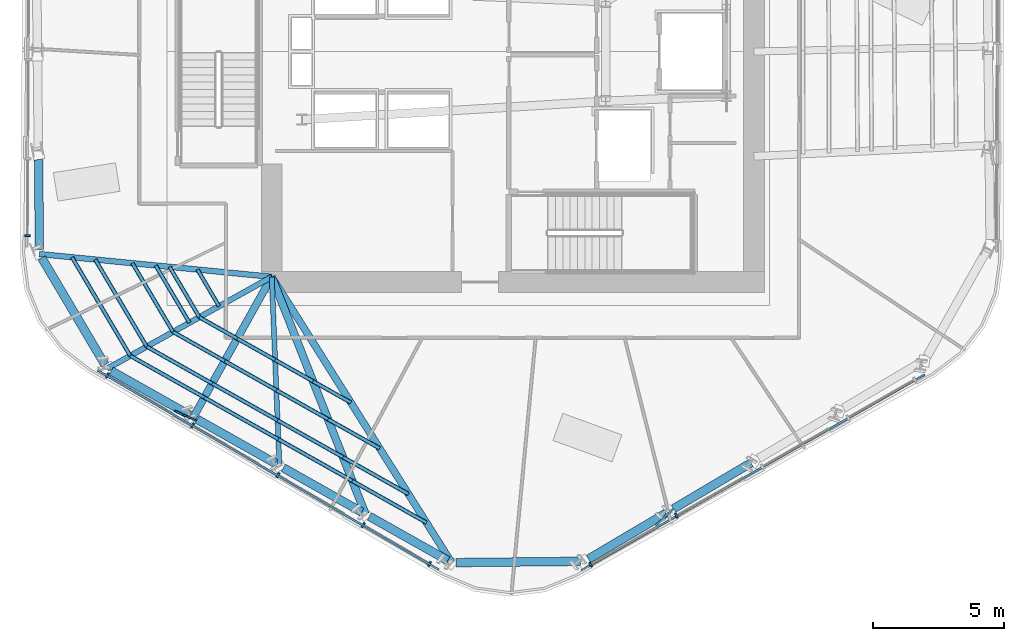
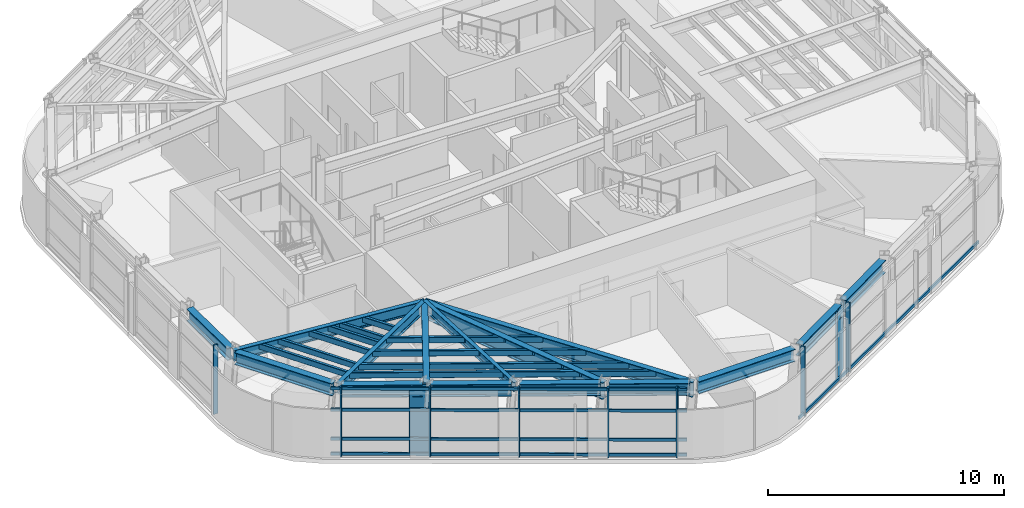
# One storey, part 2 of 16: 37 members, 15 beams, 3 elements without a shape of their own.
"""IFC4 building model written with IfcOpenShell, lengths in metres."""

import ifcopenshell
import ifcopenshell.guid

model = None  # the IFC model being written
_history = None  # IfcOwnerHistory: only IFC2X3 demands one
_inside = {}  # id of a spatial element -> (the spatial element, [elements in it])
_under = {}  # id of a project, library or spatial element -> (it, [spatial elements below it])
_declared = {}  # id of a project -> (the project, [libraries it declares])
_typed = {}  # id of a type object -> (the type object, [elements of that type])
_made_of = {}  # id of a material, layer set ... -> (it, [elements and type objects made of it])


def new_model(schema):
    """Start an empty IFC model of exactly this schema.

    Asked for "IFC4X3", IfcOpenShell would pick the latest addendum, in which some entities
    have other attributes; the version numbers below select the first issue.
    IFC2X3 requires an IfcOwnerHistory on every rooted entity: one is made here for all.
    """
    global model, _history
    if schema == "IFC4X3":
        model = ifcopenshell.file(schema_version=(4, 3, 0, 0))
    else:
        model = ifcopenshell.file(schema=schema)
    _inside.clear()
    _under.clear()
    _declared.clear()
    _typed.clear()
    _made_of.clear()
    _history = None
    if model.schema == "IFC2X3":
        org = make("IfcOrganization", Name="unknown")
        user = make(
            "IfcPersonAndOrganization",
            ThePerson=make("IfcPerson", FamilyName="unknown"),
            TheOrganization=org,
        )
        app = make(
            "IfcApplication",
            ApplicationDeveloper=org,
            Version="unknown",
            ApplicationFullName="unknown",
            ApplicationIdentifier="unknown",
        )
        _history = make(
            "IfcOwnerHistory",
            OwningUser=user,
            OwningApplication=app,
            ChangeAction="ADDED",
            CreationDate=0,
        )
    return model


def make(cls, **values):
    """One entity of the class cls with the attributes given. An attribute that is None is left unset."""
    return model.create_entity(
        cls, **{name: value for name, value in values.items() if value is not None}
    )


def rooted(cls, **values):
    """An entity with a GlobalId (a new one), such as an element, a storey or a relation."""
    return make(cls, GlobalId=ifcopenshell.guid.new(), OwnerHistory=_history, **values)


def si_unit(unit_type, name, prefix=None):
    """IfcSIUnit, for example si_unit("LENGTHUNIT", "METRE", prefix="MILLI")."""
    return make("IfcSIUnit", UnitType=unit_type, Prefix=prefix, Name=name)


def assignment(units):
    """IfcUnitAssignment: the units of a project."""
    return None if units is None else make("IfcUnitAssignment", Units=units)


def point(xyz):
    """IfcCartesianPoint."""
    return None if xyz is None else make("IfcCartesianPoint", Coordinates=xyz)


def direction(xyz):
    """IfcDirection."""
    return None if xyz is None else make("IfcDirection", DirectionRatios=xyz)


def frame(location, z_axis=None, x_axis=None):
    """IfcAxis2Placement3D, a coordinate frame: its origin and axes. An axis left out is left unset."""
    return make(
        "IfcAxis2Placement3D",
        Location=point(location),
        Axis=direction(z_axis),
        RefDirection=direction(x_axis),
    )


def frame_2d(location, x_axis=None):
    """IfcAxis2Placement2D, a coordinate frame in the plane: its origin and x axis."""
    return make(
        "IfcAxis2Placement2D", Location=point(location), RefDirection=direction(x_axis)
    )


def origin():
    """The frame at (0, 0, 0) with its axes left unset."""
    return frame((0.0, 0.0, 0.0))


def origin_2d():
    """The frame at (0, 0) in the plane with its x axis left unset."""
    return frame_2d((0.0, 0.0))


def place(relative_to, where):
    """IfcLocalPlacement: puts the frame where relative to a parent placement (None: the world)."""
    return make(
        "IfcLocalPlacement", PlacementRelTo=relative_to, RelativePlacement=where
    )


def context(
    kind, dimensions, precision=None, world=None, true_north=None, identifier=None
):
    """IfcGeometricRepresentationContext, for example the 3D "Model" context."""
    return make(
        "IfcGeometricRepresentationContext",
        ContextIdentifier=identifier,
        ContextType=kind,
        CoordinateSpaceDimension=dimensions,
        Precision=precision,
        WorldCoordinateSystem=world,
        TrueNorth=true_north,
    )


def subcontext(parent, identifier, kind, view, scale=None):
    """IfcGeometricRepresentationSubContext, for example "Body" below "Model"."""
    return make(
        "IfcGeometricRepresentationSubContext",
        ContextIdentifier=identifier,
        ContextType=kind,
        ParentContext=parent,
        TargetScale=scale,
        TargetView=view,
    )


def project(units=None, contexts=None):
    """IfcProject with its units and contexts."""
    return rooted(
        "IfcProject",
        Name="project",
        RepresentationContexts=contexts,
        UnitsInContext=assignment(units),
    )


def spatial(cls, under=None, at=None, **own):
    """A site, building, storey or space (cls), placed at a placement, below another one or the project."""
    s = rooted(cls, ObjectPlacement=at, **own)
    if under is not None:
        _under.setdefault(under.id(), (under, []))[1].append(s)
    return s


def profile(cls, at=None, kind="AREA", **sizes):
    """A parametric profile (cls). Its sizes go by their IFC names, for example OverallWidth=200.0."""
    return make(cls, ProfileType=kind, Position=at, **sizes)


def rectangle(**sizes):
    """IfcRectangleProfileDef."""
    return profile("IfcRectangleProfileDef", **sizes)


def hollow_rectangle(**sizes):
    """IfcRectangleHollowProfileDef."""
    return profile("IfcRectangleHollowProfileDef", **sizes)


def i_section(**sizes):
    """IfcIShapeProfileDef."""
    return profile("IfcIShapeProfileDef", **sizes)


def extrude(swept, where, along, depth):
    """IfcExtrudedAreaSolid: the profile swept, set in the frame where, extruded along a direction by depth."""
    return make(
        "IfcExtrudedAreaSolid",
        SweptArea=swept,
        Position=where,
        ExtrudedDirection=direction(along),
        Depth=depth,
    )


def shape(context_of_items, identifier, shape_type, items):
    """IfcShapeRepresentation: the items that make up one representation, for example the "Body"."""
    return make(
        "IfcShapeRepresentation",
        ContextOfItems=context_of_items,
        RepresentationIdentifier=identifier,
        RepresentationType=shape_type,
        Items=items,
    )


def material(Name=None, Category=None):
    """IfcMaterial."""
    return make("IfcMaterial", Name=Name, Category=Category)


def layer(
    of_material, thickness, ventilated=None, Name=None, Category=None, Priority=None
):
    """IfcMaterialLayer: one layer of a wall or slab, of a material (None: an air gap)."""
    return make(
        "IfcMaterialLayer",
        Material=of_material,
        LayerThickness=thickness,
        IsVentilated=ventilated,
        Name=Name,
        Category=Category,
        Priority=Priority,
    )


def layer_set(layers, Name=None):
    """IfcMaterialLayerSet."""
    return make("IfcMaterialLayerSet", MaterialLayers=layers, LayerSetName=Name)


def material_profile(
    of_material, cross_section, Name=None, Category=None, Priority=None
):
    """IfcMaterialProfile: a cross section and its material."""
    return make(
        "IfcMaterialProfile",
        Name=Name,
        Material=of_material,
        Profile=cross_section,
        Priority=Priority,
        Category=Category,
    )


def profile_set(profiles, Name=None, composite=None):
    """IfcMaterialProfileSet."""
    return make(
        "IfcMaterialProfileSet",
        Name=Name,
        MaterialProfiles=profiles,
        CompositeProfile=composite,
    )


def made_of(thing, what):
    """Note that an element or type object is made of a material, layer set ...; save() writes the relation."""
    if what is not None:
        _made_of.setdefault(what.id(), (what, []))[1].append(thing)
    return thing


def type_object(cls, material=None, **own):
    """A type object (cls), such as IfcWallType, which elements share."""
    return made_of(rooted(cls, **own), material)


def element(
    cls,
    number,
    at=None,
    inside=None,
    cuts=None,
    type_object=None,
    material=None,
    context=None,
    identifier="Body",
    shape_type=None,
    held_by="IfcProductDefinitionShape",
    body=None,
    shapes=None,
    **own,
):
    """One element of the class cls, such as IfcWall. Its Tag is "e" and its number.

    at: its placement. inside: the storey or other place that contains it. cuts: it is an
    opening in that element (IfcRelVoidsElement). A single representation is given by context,
    identifier, shape_type and body (its items); several are given by shapes. held_by: the class
    of the entity that holds the representations. save() writes the other relations.
    """
    e = rooted(cls, Tag="e%d" % number, ObjectPlacement=at, **own)
    if body is not None:
        shapes = [shape(context, identifier, shape_type, body)]
    if shapes is not None:
        e.Representation = make(held_by, Representations=shapes)
    if inside is not None:
        _inside.setdefault(inside.id(), (inside, []))[1].append(e)
    if cuts is not None:
        rooted(
            "IfcRelVoidsElement", RelatingBuildingElement=cuts, RelatedOpeningElement=e
        )
    if type_object is not None:
        _typed.setdefault(type_object.id(), (type_object, []))[1].append(e)
    return made_of(e, material)


def aggregate(whole, parts):
    """IfcRelAggregates: a whole, such as a stair, and the parts it consists of."""
    return rooted("IfcRelAggregates", RelatingObject=whole, RelatedObjects=parts)


def save(model, path):
    """Write the relations noted so far, then the file.

    IfcRelAggregates (storeys below a building ...), IfcRelContainedInSpatialStructure (elements
    in a storey), IfcRelDefinesByType, IfcRelAssociatesMaterial and IfcRelDeclares: one each for
    every whole, place, type object, material and project.
    """
    for whole, parts in _under.values():
        aggregate(whole, parts)
    for where, things in _inside.values():
        rooted(
            "IfcRelContainedInSpatialStructure",
            RelatedElements=things,
            RelatingStructure=where,
        )
    for kind, things in _typed.values():
        rooted("IfcRelDefinesByType", RelatedObjects=things, RelatingType=kind)
    for what, things in _made_of.values():
        rooted("IfcRelAssociatesMaterial", RelatedObjects=things, RelatingMaterial=what)
    for by, libraries in _declared.values():
        rooted("IfcRelDeclares", RelatingContext=by, RelatedDefinitions=libraries)
    model.write(path)


model = new_model("IFC4")

# Units and contexts
model_context = context("Model", 3, precision=1e-05, world=origin(), true_north=direction((0.0, 1.0)))
body_context = subcontext(model_context, "Body", "Model", "MODEL_VIEW")
ifc_project = project(units=[si_unit("LENGTHUNIT", "METRE"), si_unit("AREAUNIT", "SQUARE_METRE"), si_unit("VOLUMEUNIT", "CUBIC_METRE"), si_unit("PLANEANGLEUNIT", "RADIAN"), si_unit("MASSUNIT", "GRAM", prefix="KILO")], contexts=[model_context])

# Site, building, storey
site_placement = place(None, origin())
site = spatial("IfcSite", under=ifc_project, at=site_placement, CompositionType="ELEMENT")
building_placement = place(site_placement, origin())
building = spatial("IfcBuilding", under=site, at=building_placement, Name="Valkerne Bourse Tower", CompositionType="ELEMENT")
storey_placement = place(building_placement, frame((0.0, 0.0, 151.39990234375)))
storey = spatial("IfcBuildingStorey", under=building, at=storey_placement, Name="L38", CompositionType="ELEMENT", Elevation=151.39990234375)

# Beams
ifc_material_1 = material(Name="Steel ASTM A992", Category="steel")
ifc_material_profile_1 = material_profile(ifc_material_1, i_section(OverallWidth=0.1904296875, OverallDepth=0.457275390625, WebThickness=0.009033203125, FlangeThickness=0.014404296875, FilletRadius=0.01513671875, at=origin_2d()), Name="W18X50")
ifc_profile_set_1 = profile_set([ifc_material_profile_1], Name="Steel ASTM A992")
beam_type_1 = type_object("IfcBeamType", Name="BM-W18X50", PredefinedType="JOIST", material=ifc_profile_set_1)
beam_1_placement = place(storey_placement, frame((37.893310546875, 11.193359375, 3.3515625), z_axis=(-0.040653402797, 0.999173308711, 0.0), x_axis=(-0.999173308711, -0.040653402797, 0.0)))
element("IfcBeam", 1, at=beam_1_placement, inside=storey, type_object=beam_type_1, Name="L38 Radial Composite Floor Beam 17", PredefinedType="JOIST", context=body_context, shape_type="SweptSolid", body=[
    extrude(i_section(OverallWidth=0.1904296875, OverallDepth=0.457275390625, WebThickness=0.009033203125, FlangeThickness=0.014404296875, FilletRadius=0.01513671875, at=origin_2d()), origin(), (0.0, 0.0, 1.0), 7.21240234375),
])
ifc_material_profile_2 = material_profile(ifc_material_1, i_section(OverallWidth=0.279296875, OverallDepth=0.46240234375, WebThickness=0.0107421875, FlangeThickness=0.017333984375, FilletRadius=0.017822265625, at=origin_2d()), Name="W18X76")
ifc_profile_set_2 = profile_set([ifc_material_profile_2], Name="Steel ASTM A992")
beam_type_2 = type_object("IfcBeamType", Name="BM-W18X76", PredefinedType="BEAM", material=ifc_profile_set_2)
beam_2_placement = place(storey_placement, frame((34.608154296875, 13.044677734375, 3.348876953125), z_axis=(0.487736615264, 0.872990832788, 0.0), x_axis=(-0.872990832788, 0.487736615264, 0.0)))
element("IfcBeam", 2, at=beam_2_placement, inside=storey, type_object=beam_type_2, Name="L38 Radial Composite Floor Beam 16", PredefinedType="BEAM", context=body_context, shape_type="SweptSolid", body=[
    extrude(i_section(OverallWidth=0.279296875, OverallDepth=0.46240234375, WebThickness=0.0107421875, FlangeThickness=0.017333984375, FilletRadius=0.017822265625, at=origin_2d()), origin(), (0.0, 0.0, 1.0), 6.13427734375),
])
ifc_material_profile_3 = material_profile(ifc_material_1, i_section(OverallWidth=0.209228515625, OverallDepth=0.533447265625, WebThickness=0.01025390625, FlangeThickness=0.015625, FilletRadius=0.017822265625, at=origin_2d()), Name="W21X62")
ifc_profile_set_3 = profile_set([ifc_material_profile_3], Name="Steel ASTM A992")
beam_type_3 = type_object("IfcBeamType", Name="BM-W21X62", PredefinedType="JOIST", material=ifc_profile_set_3)
beam_3_placement = place(storey_placement, frame((31.32275390625, 14.895751953125, 3.3134765625), z_axis=(0.873167115724, 0.487420955662, 0.0), x_axis=(-0.487420955662, 0.873167115724, 0.0)))
element("IfcBeam", 3, at=beam_3_placement, inside=storey, type_object=beam_type_3, Name="L38 Radial Composite Floor Beam 15", PredefinedType="JOIST", context=body_context, shape_type="SweptSolid", body=[
    extrude(i_section(OverallWidth=0.209228515625, OverallDepth=0.533447265625, WebThickness=0.01025390625, FlangeThickness=0.015625, FilletRadius=0.017822265625, at=origin_2d()), origin(), (0.0, 0.0, 1.0), 7.189208984375),
])
ifc_material_profile_4 = material_profile(ifc_material_1, i_section(OverallWidth=0.2138671875, OverallDepth=0.548583984375, WebThickness=0.0146484375, FlangeThickness=0.023681640625, FilletRadius=0.017822265625, at=origin_2d()), Name="W21X93")
ifc_profile_set_4 = profile_set([ifc_material_profile_4], Name="Steel ASTM A992")
beam_type_4 = type_object("IfcBeamType", Name="BM-W21X93", PredefinedType="BEAM", material=ifc_profile_set_4)
beam_4_placement = place(storey_placement, frame((28.73681640625, 19.268310546875, 3.305908203125), z_axis=(0.995234421571, -0.097511261501, 0.0), x_axis=(0.097511261501, 0.995234421571, 0.0)))
element("IfcBeam", 4, at=beam_4_placement, inside=storey, type_object=beam_type_4, Name="L38 Radial Composite Floor Beam 14", PredefinedType="BEAM", context=body_context, shape_type="SweptSolid", body=[
    extrude(i_section(OverallWidth=0.2138671875, OverallDepth=0.548583984375, WebThickness=0.0146484375, FlangeThickness=0.023681640625, FilletRadius=0.017822265625, at=origin_2d()), origin(), (0.0, 0.0, 1.0), 8.90576171875),
])
ifc_material_profile_5 = material_profile(ifc_material_1, i_section(OverallWidth=0.32763671875, OverallDepth=0.62744140625, WebThickness=0.0166015625, FlangeThickness=0.027587890625, FilletRadius=0.020263671875, at=origin_2d()), Name="W24X146")
ifc_profile_set_5 = profile_set([ifc_material_profile_5], Name="Steel ASTM A992")
beam_type_5 = type_object("IfcBeamType", Name="BM-W24X146", PredefinedType="SPANDREL", material=ifc_profile_set_5)
beam_5_placement = place(storey_placement, frame((28.69921875, 22.869140625, 3.266357421875), z_axis=(0.010389419311, -0.999946028527, 0.0), x_axis=(0.999946028527, 0.010389419311, 0.0)))
element("IfcBeam", 5, at=beam_5_placement, inside=storey, type_object=beam_type_5, Name="L38 Hexagonal Spandrel Ring Beam 13", PredefinedType="SPANDREL", context=body_context, shape_type="SweptSolid", body=[
    extrude(i_section(OverallWidth=0.32763671875, OverallDepth=0.62744140625, WebThickness=0.0166015625, FlangeThickness=0.027587890625, FilletRadius=0.020263671875, at=origin_2d()), origin(), (0.0, 0.0, 1.0), 3.430908203125),
])
beam_6_placement = place(storey_placement, frame((28.8232421875, 19.1220703125, 3.266357421875), z_axis=(0.509024272823, -0.860752165073, 0.0), x_axis=(0.860752165073, 0.509024272823, 0.0)))
element("IfcBeam", 6, at=beam_6_placement, inside=storey, type_object=beam_type_5, Name="L38 Hexagonal Spandrel Ring Beam 14", PredefinedType="SPANDREL", context=body_context, shape_type="SweptSolid", body=[
    extrude(i_section(OverallWidth=0.32763671875, OverallDepth=0.62744140625, WebThickness=0.0166015625, FlangeThickness=0.027587890625, FilletRadius=0.020263671875, at=origin_2d()), origin(), (0.0, 0.0, 1.0), 4.740234375),
])
beam_7_placement = place(storey_placement, frame((31.470703125, 14.812255859375, 3.266357421875), z_axis=(0.87124848493, -0.490842212434, 0.0), x_axis=(0.490842212434, 0.87124848493, 0.0)))
element("IfcBeam", 7, at=beam_7_placement, inside=storey, type_object=beam_type_5, Name="L38 Hexagonal Spandrel Ring Beam 15", PredefinedType="SPANDREL", context=body_context, shape_type="SweptSolid", body=[
    extrude(i_section(OverallWidth=0.32763671875, OverallDepth=0.62744140625, WebThickness=0.0166015625, FlangeThickness=0.027587890625, FilletRadius=0.020263671875, at=origin_2d()), origin(), (0.0, 0.0, 1.0), 3.430908203125),
])
beam_8_placement = place(storey_placement, frame((34.756103515625, 12.961181640625, 3.266357421875), z_axis=(0.871218054269, -0.490896223163, 0.0), x_axis=(0.490896223163, 0.871218054269, 0.0)))
element("IfcBeam", 8, at=beam_8_placement, inside=storey, type_object=beam_type_5, Name="L38 Hexagonal Spandrel Ring Beam 16", PredefinedType="SPANDREL", context=body_context, shape_type="SweptSolid", body=[
    extrude(i_section(OverallWidth=0.32763671875, OverallDepth=0.62744140625, WebThickness=0.0166015625, FlangeThickness=0.027587890625, FilletRadius=0.020263671875, at=origin_2d()), origin(), (0.0, 0.0, 1.0), 3.43115234375),
])
for number, where, z_axis, x_axis, name in (
    (9, (38.04150390625, 11.10986328125, 3.266357421875), (0.87124848493, -0.490842212434, 0.0), (0.490842212434, 0.87124848493, 0.0), "L38 Hexagonal Spandrel Ring Beam 17"),
    (10, (41.326904296875, 9.2587890625, 3.266357421875), (0.871200905881, -0.490926656022, 0.0), (0.490926656022, 0.871200905881, 0.0), "L38 Hexagonal Spandrel Ring Beam 18"),
):
    element("IfcBeam", number, at=place(storey_placement, frame(where, z_axis=z_axis, x_axis=x_axis)), inside=storey, type_object=beam_type_5, Name=name, PredefinedType="SPANDREL", context=body_context, shape_type="SweptSolid", body=[
        extrude(i_section(OverallWidth=0.32763671875, OverallDepth=0.62744140625, WebThickness=0.0166015625, FlangeThickness=0.027587890625, FilletRadius=0.020263671875, at=origin_2d()), origin(), (0.0, 0.0, 1.0), 3.430908203125),
    ])
beam_9_placement = place(storey_placement, frame((44.634033203125, 7.492919921875, 3.266357421875), z_axis=(0.999945336628, 0.01045580011, 0.0), x_axis=(-0.01045580011, 0.999945336628, 0.0)))
element("IfcBeam", 11, at=beam_9_placement, inside=storey, type_object=beam_type_5, Name="L38 Hexagonal Spandrel Ring Beam 19", PredefinedType="SPANDREL", context=body_context, shape_type="SweptSolid", body=[
    extrude(i_section(OverallWidth=0.32763671875, OverallDepth=0.62744140625, WebThickness=0.0166015625, FlangeThickness=0.027587890625, FilletRadius=0.020263671875, at=origin_2d()), origin(), (0.0, 0.0, 1.0), 4.739990234375),
])
for number, where, z_axis, x_axis, name in (
    (12, (49.690185546875, 7.630615234375, 3.266357421875), (0.860746574239, 0.509033726718, 0.0), (-0.509033726718, 0.860746574239, 0.0), "L38 Hexagonal Spandrel Ring Beam 20"),
    (13, (52.93603515625, 9.55029296875, 3.266357421875), (0.860746574239, 0.509033726718, 0.0), (-0.509033726718, 0.860746574239, 0.0), "L38 Hexagonal Spandrel Ring Beam 21"),
):
    element("IfcBeam", number, at=place(storey_placement, frame(where, z_axis=z_axis, x_axis=x_axis)), inside=storey, type_object=beam_type_5, Name=name, PredefinedType="SPANDREL", context=body_context, shape_type="SweptSolid", body=[
        extrude(i_section(OverallWidth=0.32763671875, OverallDepth=0.62744140625, WebThickness=0.0166015625, FlangeThickness=0.027587890625, FilletRadius=0.020263671875, at=origin_2d()), origin(), (0.0, 0.0, 1.0), 3.43115234375),
    ])
ifc_material_profile_6 = material_profile(ifc_material_1, i_section(OverallWidth=0.26806640625, OverallDepth=0.76953125, WebThickness=0.015625, FlangeThickness=0.025390625, FilletRadius=0.025390625, at=origin_2d()), Name="W30X132")
ifc_profile_set_6 = profile_set([ifc_material_profile_6], Name="Steel ASTM A992")
beam_type_6 = type_object("IfcBeamType", Name="BM-W30X132", PredefinedType="BEAM", material=ifc_profile_set_6)
beam_10_placement = place(storey_placement, frame((44.464111328125, 7.490966796875, 3.1953125), z_axis=(-0.532559033573, 0.846392861359, 0.0), x_axis=(-0.846392861359, -0.532559033573, 0.0)))
element("IfcBeam", 14, at=beam_10_placement, inside=storey, type_object=beam_type_6, Name="L38 Radial Composite Floor Beam 19", PredefinedType="BEAM", context=body_context, shape_type="SweptSolid", body=[
    extrude(i_section(OverallWidth=0.26806640625, OverallDepth=0.76953125, WebThickness=0.015625, FlangeThickness=0.025390625, FilletRadius=0.025390625, at=origin_2d()), origin(), (0.0, 0.0, 1.0), 12.888671875),
])
ifc_material_profile_7 = material_profile(ifc_material_1, i_section(OverallWidth=0.2919921875, OverallDepth=0.8583984375, WebThickness=0.01708984375, FlangeThickness=0.031005859375, FilletRadius=0.025390625, at=origin_2d()), Name="W33X169")
ifc_profile_set_7 = profile_set([ifc_material_profile_7], Name="Steel ASTM A992")
beam_type_7 = type_object("IfcBeamType", Name="BM-W33X169", PredefinedType="BEAM", material=ifc_profile_set_7)
beam_11_placement = place(storey_placement, frame((41.1787109375, 9.34228515625, 3.15087890625), z_axis=(-0.367454181679, 0.930041625072, 0.0), x_axis=(-0.930041625072, -0.367454181679, 0.0)))
element("IfcBeam", 15, at=beam_11_placement, inside=storey, type_object=beam_type_7, Name="L38 Radial Composite Floor Beam 18", PredefinedType="BEAM", context=body_context, shape_type="SweptSolid", body=[
    extrude(i_section(OverallWidth=0.2919921875, OverallDepth=0.8583984375, WebThickness=0.01708984375, FlangeThickness=0.031005859375, FilletRadius=0.025390625, at=origin_2d()), origin(), (0.0, 0.0, 1.0), 9.739013671875),
])

# Curtain wall, member
ifc_material_2 = material(Name="Aluminium AA 6063-T6", Category="aluminium")
ifc_layer = layer(ifc_material_2, 0.235107421875)
ifc_layer_set = layer_set([ifc_layer], Name="Aluminium AA 6063-T6")
curtain_wall_type = type_object("IfcCurtainWallType", Name="CW-03", PredefinedType="NOTDEFINED", material=ifc_layer_set)
curtain_wall_1_placement = place(storey_placement, origin())
curtain_wall_1 = element("IfcCurtainWall", 16, at=curtain_wall_1_placement, inside=storey, type_object=curtain_wall_type, Name="L38 Hexagonal Stick Curtain Wall Face 3", PredefinedType="NOTDEFINED")
ifc_material_profile_8 = material_profile(ifc_material_2, rectangle(XDim=0.074951171875, YDim=0.199951171875, at=origin_2d()), Name="CWM-75X200")
ifc_profile_set_8 = profile_set([ifc_material_profile_8], Name="Aluminium AA 6063-T6")
member_type_1 = type_object("IfcMemberType", Name="CW-MUL-220X75", PredefinedType="MULLION", material=ifc_profile_set_8)
member_1_placement = place(storey_placement, frame((28.27978515625, 19.974853515625, 0.0), z_axis=(0.0, 0.0, 1.0), x_axis=(-0.005250663525, -0.999986215171, 0.0)))
member_1 = element("IfcMember", 17, at=member_1_placement, type_object=member_type_1, Name="CW-L38-F3 Jamb Mullion 03B", PredefinedType="MULLION", context=body_context, shape_type="SweptSolid", body=[
    extrude(rectangle(XDim=0.074951171875, YDim=0.199951171875, at=origin_2d()), origin(), (0.0, 0.0, 1.0), 3.580078125),
])
aggregate(curtain_wall_1, [member_1])

# Curtain wall, members
curtain_wall_2_placement = place(storey_placement, origin())
curtain_wall_2 = element("IfcCurtainWall", 18, at=curtain_wall_2_placement, inside=storey, type_object=curtain_wall_type, Name="L38 Hexagonal Stick Curtain Wall Face 4", PredefinedType="NOTDEFINED")
member_2_placement = place(storey_placement, frame((31.32568359375, 14.635009765625, 0.0), z_axis=(0.0, 0.0, 1.0), x_axis=(0.863394897146, -0.504528742077, 0.0)))
member_2 = element("IfcMember", 19, at=member_2_placement, type_object=member_type_1, Name="CW-L38-F4 Jamb Mullion 00A", PredefinedType="MULLION", context=body_context, shape_type="SweptSolid", body=[
    extrude(rectangle(XDim=0.074951171875, YDim=0.199951171875, at=origin_2d()), origin(), (0.0, 0.0, 1.0), 3.580078125),
])
member_3_placement = place(storey_placement, frame((34.58154296875, 12.732421875, 0.0), z_axis=(0.0, 0.0, 1.0), x_axis=(0.863388146814, -0.504540293675, 0.0)))
member_3 = element("IfcMember", 20, at=member_3_placement, type_object=member_type_1, Name="CW-L38-F4 Jamb Mullion 01A", PredefinedType="MULLION", context=body_context, shape_type="SweptSolid", body=[
    extrude(rectangle(XDim=0.074951171875, YDim=0.199951171875, at=origin_2d()), origin(), (0.0, 0.0, 1.0), 3.580078125),
])
member_4_placement = place(storey_placement, frame((37.83740234375, 10.82958984375, 0.0), z_axis=(0.0, 0.0, 1.0), x_axis=(0.863394897146, -0.504528742077, 0.0)))
member_4 = element("IfcMember", 21, at=member_4_placement, type_object=member_type_1, Name="CW-L38-F4 Jamb Mullion 02A", PredefinedType="MULLION", context=body_context, shape_type="SweptSolid", body=[
    extrude(rectangle(XDim=0.074951171875, YDim=0.199951171875, at=origin_2d()), origin(), (0.0, 0.0, 1.0), 3.580078125),
])
member_5_placement = place(storey_placement, frame((41.09326171875, 8.927001953125, 0.0), z_axis=(0.0, 0.0, 1.0), x_axis=(0.863406448459, -0.504508973914, 0.0)))
member_5 = element("IfcMember", 22, at=member_5_placement, type_object=member_type_1, Name="CW-L38-F4 Jamb Mullion 03A", PredefinedType="MULLION", context=body_context, shape_type="SweptSolid", body=[
    extrude(rectangle(XDim=0.074951171875, YDim=0.199951171875, at=origin_2d()), origin(), (0.0, 0.0, 1.0), 3.580078125),
])
member_6_placement = place(storey_placement, frame((43.623779296875, 7.448486328125, 0.0), z_axis=(0.0, 0.0, 1.0), x_axis=(0.863406448459, -0.504508973914, 0.0)))
member_6 = element("IfcMember", 23, at=member_6_placement, type_object=member_type_1, Name="CW-L38-F4 Jamb Mullion 03B", PredefinedType="MULLION", context=body_context, shape_type="SweptSolid", body=[
    extrude(rectangle(XDim=0.074951171875, YDim=0.199951171875, at=origin_2d()), origin(), (0.0, 0.0, 1.0), 3.580078125),
])

curtain_wall_3_placement = place(storey_placement, origin())
curtain_wall_3 = element("IfcCurtainWall", 24, at=curtain_wall_3_placement, inside=storey, type_object=curtain_wall_type, Name="L38 Hexagonal Stick Curtain Wall Face 5", PredefinedType="NOTDEFINED")
member_7_placement = place(storey_placement, frame((49.771240234375, 7.416259765625, 0.0), z_axis=(0.0, 0.0, 1.0), x_axis=(0.868639418098, 0.495444811585, 0.0)))
member_7 = element("IfcMember", 25, at=member_7_placement, type_object=member_type_1, Name="CW-L38-F5 Jamb Mullion 00A", PredefinedType="MULLION", context=body_context, shape_type="SweptSolid", body=[
    extrude(rectangle(XDim=0.074951171875, YDim=0.199951171875, at=origin_2d()), origin(), (0.0, 0.0, 1.0), 3.580078125),
])
member_8_placement = place(storey_placement, frame((53.046875, 9.28466796875, 0.0), z_axis=(0.0, 0.0, 1.0), x_axis=(0.868628005446, 0.4954648203, 0.0)))
member_8 = element("IfcMember", 26, at=member_8_placement, type_object=member_type_1, Name="CW-L38-F5 Jamb Mullion 01A", PredefinedType="MULLION", context=body_context, shape_type="SweptSolid", body=[
    extrude(rectangle(XDim=0.074951171875, YDim=0.199951171875, at=origin_2d()), origin(), (0.0, 0.0, 1.0), 3.580078125),
])

# Member
ifc_material_profile_9 = material_profile(ifc_material_2, rectangle(XDim=0.074951171875, YDim=0.14990234375, at=origin_2d()), Name="CWT-75X150")
ifc_profile_set_9 = profile_set([ifc_material_profile_9], Name="Aluminium AA 6063-T6")
member_type_2 = type_object("IfcMemberType", Name="CW-TRN-180X65", PredefinedType="USERDEFINED", material=ifc_profile_set_9)
member_9_placement = place(storey_placement, frame((30.952880859375, 14.82958984375, 0.1201171875), z_axis=(0.863393553702, -0.504531041092, 0.0), x_axis=(0.504531041092, 0.863393553702, 0.0)))
member_9 = element("IfcMember", 27, at=member_9_placement, type_object=member_type_2, Name="CW-L38-F4 Continuous Face Transom 1", ObjectType="TRANSOM", PredefinedType="USERDEFINED", context=body_context, shape_type="SweptSolid", body=[
    extrude(rectangle(XDim=0.074951171875, YDim=0.14990234375, at=origin_2d()), origin(), (0.0, 0.0, 1.0), 15.083984375),
])

member_10_placement = place(storey_placement, frame((30.952880859375, 14.82958984375, 0.900146484375), z_axis=(0.863393553702, -0.504531041092, 0.0), x_axis=(0.504531041092, 0.863393553702, 0.0)))
member_10 = element("IfcMember", 28, at=member_10_placement, type_object=member_type_2, Name="CW-L38-F4 Continuous Face Transom 2", ObjectType="TRANSOM", PredefinedType="USERDEFINED", context=body_context, shape_type="SweptSolid", body=[
    extrude(rectangle(XDim=0.074951171875, YDim=0.14990234375, at=origin_2d()), origin(), (0.0, 0.0, 1.0), 15.083984375),
])

member_11_placement = place(storey_placement, frame((30.952880859375, 14.82958984375, 2.400146484375), z_axis=(0.863393553702, -0.504531041092, 0.0), x_axis=(0.504531041092, 0.863393553702, 0.0)))
member_11 = element("IfcMember", 29, at=member_11_placement, type_object=member_type_2, Name="CW-L38-F4 Continuous Face Transom 3", ObjectType="TRANSOM", PredefinedType="USERDEFINED", context=body_context, shape_type="SweptSolid", body=[
    extrude(rectangle(XDim=0.074951171875, YDim=0.14990234375, at=origin_2d()), origin(), (0.0, 0.0, 1.0), 15.083984375),
])

member_12_placement = place(storey_placement, frame((30.952880859375, 14.82958984375, 3.5), z_axis=(0.863393553702, -0.504531041092, 0.0), x_axis=(0.504531041092, 0.863393553702, 0.0)))
member_12 = element("IfcMember", 30, at=member_12_placement, type_object=member_type_2, Name="CW-L38-F4 Continuous Face Transom 4", ObjectType="TRANSOM", PredefinedType="USERDEFINED", context=body_context, shape_type="SweptSolid", body=[
    extrude(rectangle(XDim=0.074951171875, YDim=0.14990234375, at=origin_2d()), origin(), (0.0, 0.0, 1.0), 15.083984375),
])

aggregate(curtain_wall_2, [member_9, member_10, member_11, member_12, member_2, member_3, member_4, member_5, member_6])

member_13_placement = place(storey_placement, frame((49.41650390625, 7.19091796875, 0.1201171875), z_axis=(0.868632324949, 0.495457247452, 0.0), x_axis=(-0.495457247452, 0.868632324949, 0.0)))
member_13 = element("IfcMember", 31, at=member_13_placement, type_object=member_type_2, Name="CW-L38-F5 Continuous Face Transom 1", ObjectType="TRANSOM", PredefinedType="USERDEFINED", context=body_context, shape_type="SweptSolid", body=[
    extrude(rectangle(XDim=0.074951171875, YDim=0.14990234375, at=origin_2d()), origin(), (0.0, 0.0, 1.0), 15.083740234375),
])

aggregate(curtain_wall_3, [member_13, member_7, member_8])

# Members
ifc_material_3 = material(Name="Bronze Anodised Aluminium AA 6063-T6", Category="aluminium")
ifc_material_profile_10 = material_profile(ifc_material_3, rectangle(XDim=0.070068359375, YDim=0.89990234375, at=origin_2d()), Name="FIN-70X900")
ifc_profile_set_10 = profile_set([ifc_material_profile_10], Name="Bronze Anodised Aluminium AA 6063-T6")
member_type_3 = type_object("IfcMemberType", Name="FIN-SOLAR-900", PredefinedType="USERDEFINED", material=ifc_profile_set_10)
for number, where, z_axis, x_axis, name in (
    (32, (34.309814453125, 13.099609375, 0.004150390625), (0.0, 0.0, 1.0), (-0.406904982392, -0.913470489564, 0.0), "L38 Bronze Anodised Solar Fin F4-01"),
    (33, (52.593017578125, 9.23291015625, 0.004150390625), (0.0, 0.0, 1.0), (0.690594623573, -0.723242052076, 0.0), "L38 Bronze Anodised Solar Fin F5-01"),
):
    element("IfcMember", number, at=place(storey_placement, frame(where, z_axis=z_axis, x_axis=x_axis)), inside=storey, type_object=member_type_3, Name=name, ObjectType="SOLAR_FIN", PredefinedType="USERDEFINED", context=body_context, shape_type="SweptSolid", body=[
        extrude(rectangle(XDim=0.070068359375, YDim=0.89990234375, at=origin_2d()), origin(), (0.0, 0.0, 1.0), 3.572021484375),
    ])
ifc_material_4 = material(Name="Steel ASTM A500 Grade C", Category="steel")
ifc_material_profile_11 = material_profile(ifc_material_4, hollow_rectangle(XDim=0.14990234375, YDim=0.300048828125, WallThickness=0.012451171875, OuterFilletRadius=0.02490234375, at=origin_2d()), Name="HSS300X150X12.5")
ifc_profile_set_11 = profile_set([ifc_material_profile_11], Name="Steel ASTM A500 Grade C")
member_type_4 = type_object("IfcMemberType", Name="MBR-HSS300X150X12.5", PredefinedType="PURLIN", material=ifc_profile_set_11)
member_14_placement = place(storey_placement, frame((34.763671875, 18.677978515625, 3.420166015625), z_axis=(0.509118860721, -0.860696221473, 0.0), x_axis=(0.860696221473, 0.509118860721, 0.0)))
element("IfcMember", 34, at=member_14_placement, inside=storey, type_object=member_type_4, Name="L38 Secondary Composite Floor Purlin I-14", PredefinedType="PURLIN", context=body_context, shape_type="SweptSolid", body=[
    extrude(hollow_rectangle(XDim=0.14990234375, YDim=0.300048828125, WallThickness=0.012451171875, OuterFilletRadius=0.02490234375, at=origin_2d()), origin(), (0.0, 0.0, 1.0), 1.625732421875),
])
member_15_placement = place(storey_placement, frame((33.7001953125, 18.781982421875, 3.420166015625), z_axis=(0.509023691709, -0.860752508727, 0.0), x_axis=(0.860752508727, 0.509023691709, 0.0)))
element("IfcMember", 35, at=member_15_placement, inside=storey, type_object=member_type_4, Name="L38 Secondary Composite Floor Purlin K-14", PredefinedType="PURLIN", context=body_context, shape_type="SweptSolid", body=[
    extrude(hollow_rectangle(XDim=0.14990234375, YDim=0.300048828125, WallThickness=0.012451171875, OuterFilletRadius=0.02490234375, at=origin_2d()), origin(), (0.0, 0.0, 1.0), 2.235107421875),
])
member_16_placement = place(storey_placement, frame((34.837890625, 16.858154296875, 3.420166015625), z_axis=(0.871268894678, -0.490805983223, 0.0), x_axis=(0.490805983223, 0.871268894678, 0.0)))
element("IfcMember", 36, at=member_16_placement, inside=storey, type_object=member_type_4, Name="L38 Secondary Composite Floor Purlin K-15", PredefinedType="PURLIN", context=body_context, shape_type="SweptSolid", body=[
    extrude(hollow_rectangle(XDim=0.14990234375, YDim=0.300048828125, WallThickness=0.012451171875, OuterFilletRadius=0.02490234375, at=origin_2d()), origin(), (0.0, 0.0, 1.0), 1.659423828125),
])
member_17_placement = place(storey_placement, frame((36.28369140625, 16.043701171875, 3.420166015625), z_axis=(0.871135042263, -0.4910435196, 0.0), x_axis=(0.4910435196, 0.871135042263, 0.0)))
element("IfcMember", 37, at=member_17_placement, inside=storey, type_object=member_type_4, Name="L38 Secondary Composite Floor Purlin K-16", PredefinedType="PURLIN", context=body_context, shape_type="SweptSolid", body=[
    extrude(hollow_rectangle(XDim=0.14990234375, YDim=0.300048828125, WallThickness=0.012451171875, OuterFilletRadius=0.02490234375, at=origin_2d()), origin(), (0.0, 0.0, 1.0), 1.6591796875),
])
member_18_placement = place(storey_placement, frame((37.72900390625, 15.22900390625, 3.420166015625), z_axis=(0.871268894678, -0.490805983223, 0.0), x_axis=(0.490805983223, 0.871268894678, 0.0)))
element("IfcMember", 38, at=member_18_placement, inside=storey, type_object=member_type_4, Name="L38 Secondary Composite Floor Purlin K-17", PredefinedType="PURLIN", context=body_context, shape_type="SweptSolid", body=[
    extrude(hollow_rectangle(XDim=0.14990234375, YDim=0.300048828125, WallThickness=0.012451171875, OuterFilletRadius=0.02490234375, at=origin_2d()), origin(), (0.0, 0.0, 1.0), 1.659423828125),
])
member_19_placement = place(storey_placement, frame((39.1748046875, 14.41455078125, 3.420166015625), z_axis=(0.871197985813, -0.490931837952, 0.0), x_axis=(0.490931837952, 0.871197985813, 0.0)))
element("IfcMember", 39, at=member_19_placement, inside=storey, type_object=member_type_4, Name="L38 Secondary Composite Floor Purlin K-18", PredefinedType="PURLIN", context=body_context, shape_type="SweptSolid", body=[
    extrude(hollow_rectangle(XDim=0.14990234375, YDim=0.300048828125, WallThickness=0.012451171875, OuterFilletRadius=0.02490234375, at=origin_2d()), origin(), (0.0, 0.0, 1.0), 1.658935546875),
])
member_20_placement = place(storey_placement, frame((33.16845703125, 18.834228515625, 3.420166015625), z_axis=(0.509043392822, -0.860740857764, 0.0), x_axis=(0.860740857764, 0.509043392822, 0.0)))
element("IfcMember", 40, at=member_20_placement, inside=storey, type_object=member_type_4, Name="L38 Secondary Composite Floor Purlin M-14", PredefinedType="PURLIN", context=body_context, shape_type="SweptSolid", body=[
    extrude(hollow_rectangle(XDim=0.14990234375, YDim=0.300048828125, WallThickness=0.012451171875, OuterFilletRadius=0.02490234375, at=origin_2d()), origin(), (0.0, 0.0, 1.0), 2.5400390625),
])
member_21_placement = place(storey_placement, frame((30.864013671875, 19.06005859375, 3.420166015625), z_axis=(0.509036058144, -0.860745195461, 0.0), x_axis=(0.860745195461, 0.509036058144, 0.0)))
element("IfcMember", 41, at=member_21_placement, inside=storey, type_object=member_type_4, Name="L38 Secondary Composite Floor Purlin O-14", PredefinedType="PURLIN", context=body_context, shape_type="SweptSolid", body=[
    extrude(hollow_rectangle(XDim=0.14990234375, YDim=0.300048828125, WallThickness=0.012451171875, OuterFilletRadius=0.02490234375, at=origin_2d()), origin(), (0.0, 0.0, 1.0), 3.86083984375),
])
member_22_placement = place(storey_placement, frame((32.829345703125, 15.73681640625, 3.420166015625), z_axis=(0.87119990598, -0.490928430445, 0.0), x_axis=(0.490928430445, 0.87119990598, 0.0)))
element("IfcMember", 42, at=member_22_placement, inside=storey, type_object=member_type_4, Name="L38 Secondary Composite Floor Purlin O-15", PredefinedType="PURLIN", context=body_context, shape_type="SweptSolid", body=[
    extrude(hollow_rectangle(XDim=0.14990234375, YDim=0.300048828125, WallThickness=0.012451171875, OuterFilletRadius=0.02490234375, at=origin_2d()), origin(), (0.0, 0.0, 1.0), 2.865966796875),
])
member_23_placement = place(storey_placement, frame((35.326171875, 14.329833984375, 3.420166015625), z_axis=(0.871236338997, -0.49086377093, 0.0), x_axis=(0.49086377093, 0.871236338997, 0.0)))
element("IfcMember", 43, at=member_23_placement, inside=storey, type_object=member_type_4, Name="L38 Secondary Composite Floor Purlin O-16", PredefinedType="PURLIN", context=body_context, shape_type="SweptSolid", body=[
    extrude(hollow_rectangle(XDim=0.14990234375, YDim=0.300048828125, WallThickness=0.012451171875, OuterFilletRadius=0.02490234375, at=origin_2d()), origin(), (0.0, 0.0, 1.0), 2.86572265625),
])
for number, where, z_axis, x_axis, name in (
    (44, (37.822998046875, 12.923095703125, 3.420166015625), (0.87119990598, -0.490928430445, 0.0), (0.490928430445, 0.87119990598, 0.0), "L38 Secondary Composite Floor Purlin O-17"),
    (45, (40.31982421875, 11.51611328125, 3.420166015625), (0.87119990598, -0.490928430445, 0.0), (0.490928430445, 0.87119990598, 0.0), "L38 Secondary Composite Floor Purlin O-18"),
):
    element("IfcMember", number, at=place(storey_placement, frame(where, z_axis=z_axis, x_axis=x_axis)), inside=storey, type_object=member_type_4, Name=name, PredefinedType="PURLIN", context=body_context, shape_type="SweptSolid", body=[
        extrude(hollow_rectangle(XDim=0.14990234375, YDim=0.300048828125, WallThickness=0.012451171875, OuterFilletRadius=0.02490234375, at=origin_2d()), origin(), (0.0, 0.0, 1.0), 2.865966796875),
    ])
member_24_placement = place(storey_placement, frame((32.281982421875, 18.9208984375, 3.420166015625), z_axis=(0.509066621413, -0.860727119919, 0.0), x_axis=(0.860727119919, 0.509066621413, 0.0)))
element("IfcMember", 46, at=member_24_placement, inside=storey, type_object=member_type_4, Name="L38 Secondary Composite Floor Purlin Z-14", PredefinedType="PURLIN", context=body_context, shape_type="SweptSolid", body=[
    extrude(hollow_rectangle(XDim=0.14990234375, YDim=0.300048828125, WallThickness=0.012451171875, OuterFilletRadius=0.02490234375, at=origin_2d()), origin(), (0.0, 0.0, 1.0), 3.0478515625),
])
member_25_placement = place(storey_placement, frame((33.83349609375, 16.297607421875, 3.420166015625), z_axis=(0.871215133615, -0.490901406557, 0.0), x_axis=(0.490901406557, 0.871215133615, 0.0)))
element("IfcMember", 47, at=member_25_placement, inside=storey, type_object=member_type_4, Name="L38 Secondary Composite Floor Purlin Z-15", PredefinedType="PURLIN", context=body_context, shape_type="SweptSolid", body=[
    extrude(hollow_rectangle(XDim=0.14990234375, YDim=0.300048828125, WallThickness=0.012451171875, OuterFilletRadius=0.02490234375, at=origin_2d()), origin(), (0.0, 0.0, 1.0), 2.262939453125),
])
member_26_placement = place(storey_placement, frame((35.804931640625, 15.186767578125, 3.420166015625), z_axis=(0.871163119178, -0.490993706461, 0.0), x_axis=(0.490993706461, 0.871163119178, 0.0)))
element("IfcMember", 48, at=member_26_placement, inside=storey, type_object=member_type_4, Name="L38 Secondary Composite Floor Purlin Z-16", PredefinedType="PURLIN", context=body_context, shape_type="SweptSolid", body=[
    extrude(hollow_rectangle(XDim=0.14990234375, YDim=0.300048828125, WallThickness=0.012451171875, OuterFilletRadius=0.02490234375, at=origin_2d()), origin(), (0.0, 0.0, 1.0), 2.262451171875),
])
for number, where, z_axis, x_axis, name in (
    (49, (37.77587890625, 14.075927734375, 3.420166015625), (0.871261274864, -0.490819509518, 0.0), (0.490819509518, 0.871261274864, 0.0), "L38 Secondary Composite Floor Purlin Z-17"),
    (50, (39.747314453125, 12.96533203125, 3.420166015625), (0.871189130064, -0.49094755286, 0.0), (0.49094755286, 0.871189130064, 0.0), "L38 Secondary Composite Floor Purlin Z-18"),
):
    element("IfcMember", number, at=place(storey_placement, frame(where, z_axis=z_axis, x_axis=x_axis)), inside=storey, type_object=member_type_4, Name=name, PredefinedType="PURLIN", context=body_context, shape_type="SweptSolid", body=[
        extrude(hollow_rectangle(XDim=0.14990234375, YDim=0.300048828125, WallThickness=0.012451171875, OuterFilletRadius=0.02490234375, at=origin_2d()), origin(), (0.0, 0.0, 1.0), 2.2626953125),
    ])
member_27_placement = place(storey_placement, frame((29.9775390625, 19.146728515625, 3.420166015625), z_axis=(0.509053116027, -0.860735107372, 0.0), x_axis=(0.860735107372, 0.509053116027, 0.0)))
element("IfcMember", 51, at=member_27_placement, inside=storey, type_object=member_type_4, Name="L38 Secondary Composite Floor Purlin T-14", PredefinedType="PURLIN", context=body_context, shape_type="SweptSolid", body=[
    extrude(hollow_rectangle(XDim=0.14990234375, YDim=0.300048828125, WallThickness=0.012451171875, OuterFilletRadius=0.02490234375, at=origin_2d()), origin(), (0.0, 0.0, 1.0), 4.36865234375),
])
member_28_placement = place(storey_placement, frame((32.201416015625, 15.386474609375, 3.420166015625), z_axis=(0.871233572113, -0.490868681852, 0.0), x_axis=(0.490868681852, 0.871233572113, 0.0)))
element("IfcMember", 52, at=member_28_placement, inside=storey, type_object=member_type_4, Name="L38 Secondary Composite Floor Purlin T-15", PredefinedType="PURLIN", context=body_context, shape_type="SweptSolid", body=[
    extrude(hollow_rectangle(XDim=0.14990234375, YDim=0.300048828125, WallThickness=0.012451171875, OuterFilletRadius=0.02490234375, at=origin_2d()), origin(), (0.0, 0.0, 1.0), 3.243408203125),
])
member_29_placement = place(storey_placement, frame((35.027099609375, 13.79443359375, 3.420166015625), z_axis=(0.871197289612, -0.490933073415, 0.0), x_axis=(0.490933073415, 0.871197289612, 0.0)))
element("IfcMember", 53, at=member_29_placement, inside=storey, type_object=member_type_4, Name="L38 Secondary Composite Floor Purlin T-16", PredefinedType="PURLIN", context=body_context, shape_type="SweptSolid", body=[
    extrude(hollow_rectangle(XDim=0.14990234375, YDim=0.300048828125, WallThickness=0.012451171875, OuterFilletRadius=0.02490234375, at=origin_2d()), origin(), (0.0, 0.0, 1.0), 3.242919921875),
])
for number, where, z_axis, x_axis, name in (
    (54, (37.852294921875, 12.202392578125, 3.420166015625), (0.871215432647, -0.490900875857, 0.0), (0.490900875857, 0.871215432647, 0.0), "L38 Secondary Composite Floor Purlin T-17"),
    (55, (40.677734375, 10.6103515625, 3.420166015625), (0.871215432647, -0.490900875857, 0.0), (0.490900875857, 0.871215432647, 0.0), "L38 Secondary Composite Floor Purlin T-18"),
):
    element("IfcMember", number, at=place(storey_placement, frame(where, z_axis=z_axis, x_axis=x_axis)), inside=storey, type_object=member_type_4, Name=name, PredefinedType="PURLIN", context=body_context, shape_type="SweptSolid", body=[
        extrude(hollow_rectangle(XDim=0.14990234375, YDim=0.300048828125, WallThickness=0.012451171875, OuterFilletRadius=0.02490234375, at=origin_2d()), origin(), (0.0, 0.0, 1.0), 3.2431640625),
    ])

save(model, "model.ifc")
